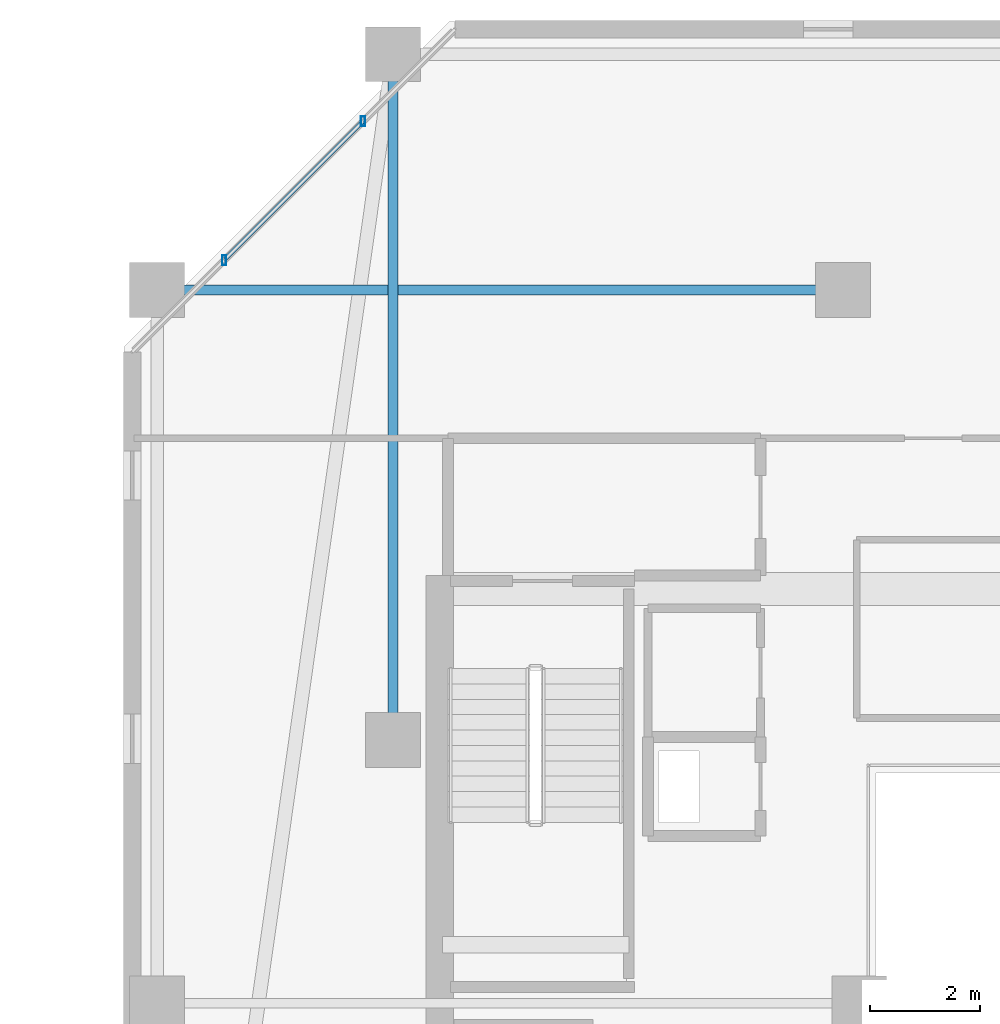
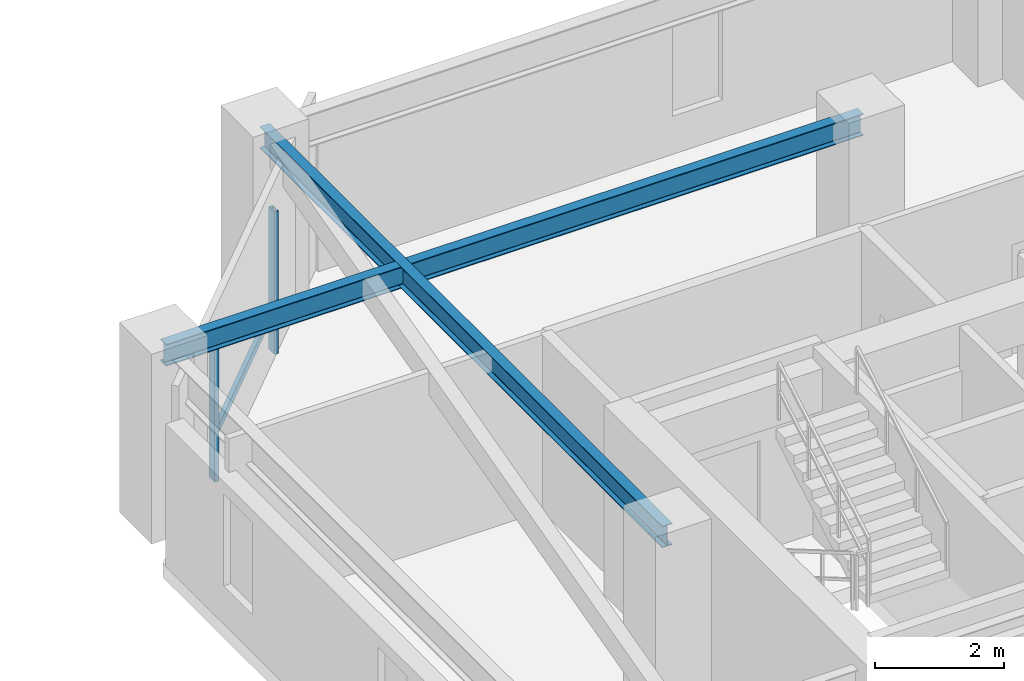
# One storey, part 14 of 31: 3 members, 2 beams, 1 element without a shape of its own.
"""IFC4 building model written with IfcOpenShell, lengths in metres."""

from ifc_helpers import new_model, si_unit, direction, frame, origin, origin_2d, place, context, subcontext, project, spatial, hollow_rectangle, i_section, extrude, material, material_profile, profile_set, type_object, element, aggregate, save


model = new_model("IFC4")

# Units and contexts
model_context = context("Model", 3, precision=1e-05, world=origin(), true_north=direction((0.0, 1.0)))
body_context = subcontext(model_context, "Body", "Model", "MODEL_VIEW")
ifc_project = project(units=[si_unit("LENGTHUNIT", "METRE"), si_unit("AREAUNIT", "SQUARE_METRE"), si_unit("VOLUMEUNIT", "CUBIC_METRE"), si_unit("PLANEANGLEUNIT", "RADIAN"), si_unit("MASSUNIT", "GRAM", prefix="KILO")], contexts=[model_context])

# Site, building, storey
site_placement = place(None, origin())
site = spatial("IfcSite", under=ifc_project, at=site_placement, CompositionType="ELEMENT")
building_placement = place(site_placement, origin())
building = spatial("IfcBuilding", under=site, at=building_placement, Name="Thornwick Lancets Civic Towers", CompositionType="ELEMENT")
storey_placement = place(building_placement, frame((0.0, 0.0, 233.10009765625)))
storey = spatial("IfcBuildingStorey", under=building, at=storey_placement, Name="L62", CompositionType="ELEMENT", Elevation=233.10009765625)

# Beams
ifc_material_1 = material(Name="Steel S355JR", Category="steel")
ifc_material_profile_1 = material_profile(ifc_material_1, i_section(OverallWidth=0.179443359375, OverallDepth=0.412841796875, WebThickness=0.009521484375, FlangeThickness=0.01611328125, FilletRadius=0.01025390625, at=origin_2d()), Name="UKB 406x178x74")
ifc_profile_set_1 = profile_set([ifc_material_profile_1], Name="Steel S355JR")
beam_type = type_object("IfcBeamType", Name="BM_JOIST_406_74", PredefinedType="JOIST", material=ifc_profile_set_1)
for number, where, z_axis, x_axis, name in (
    (1, (75.5, 31.800048828125, 3.153564453125), (0.0, 1.0, 0.0), (-1.0, 0.0, 0.0), "BM-RADIN-L62-B06"),
    (2, (83.699951171875, 40.0, 3.153564453125), (-1.0, 0.0, 0.0), (0.0, -1.0, 0.0), "BM-RADIN-L62-B09"),
):
    element("IfcBeam", number, at=place(storey_placement, frame(where, z_axis=z_axis, x_axis=x_axis)), inside=storey, type_object=beam_type, Name=name, PredefinedType="JOIST", context=body_context, shape_type="SweptSolid", body=[
        extrude(i_section(OverallWidth=0.179443359375, OverallDepth=0.412841796875, WebThickness=0.009521484375, FlangeThickness=0.01611328125, FilletRadius=0.01025390625, at=origin_2d()), origin(), (0.0, 0.0, 1.0), 12.5),
    ])

# Curtain wall, members
ifc_material_2 = material(Name="High-zone chamfered-corner unitised glass curtain wall", Category="glass")
curtain_wall_type = type_object("IfcCurtainWallType", Name="CW_SYS_05", PredefinedType="NOTDEFINED", material=ifc_material_2)
curtain_wall_placement = place(storey_placement, origin())
curtain_wall = element("IfcCurtainWall", 3, at=curtain_wall_placement, inside=storey, type_object=curtain_wall_type, Name="L62 Curtain Wall CW-L62-B-E5", PredefinedType="NOTDEFINED")
ifc_material_3 = material(Name="Thermally broken bronze aluminium S355", Category="steel")
ifc_material_profile_2 = material_profile(ifc_material_3, hollow_rectangle(XDim=0.074951171875, YDim=0.179931640625, WallThickness=0.006103515625, at=origin_2d()), Name="RHS 180x75x6")
ifc_profile_set_2 = profile_set([ifc_material_profile_2], Name="Thermally broken bronze aluminium S355")
member_type_1 = type_object("IfcMemberType", Name="CW_MUL_180", PredefinedType="MULLION", material=ifc_profile_set_2)
member_1_placement = place(storey_placement, frame((74.953125, 43.0791015625, 0.0), z_axis=(0.0, 0.0, 1.0), x_axis=(1.0, 0.0, 0.0)))
member_1 = element("IfcMember", 4, at=member_1_placement, type_object=member_type_1, Name="CW-L62-B-E5 Mullion 0", PredefinedType="MULLION", context=body_context, shape_type="SweptSolid", body=[
    extrude(hollow_rectangle(XDim=0.074951171875, YDim=0.179931640625, WallThickness=0.006103515625, at=origin_2d()), origin(), (0.0, 0.0, 1.0), 2.699951171875),
])
member_2_placement = place(storey_placement, frame((72.4208984375, 40.546875, 0.0), z_axis=(0.0, 0.0, 1.0), x_axis=(1.0, 0.0, 0.0)))
member_2 = element("IfcMember", 5, at=member_2_placement, type_object=member_type_1, Name="CW-L62-B-E5 Mullion 1", PredefinedType="MULLION", context=body_context, shape_type="SweptSolid", body=[
    extrude(hollow_rectangle(XDim=0.074951171875, YDim=0.179931640625, WallThickness=0.006103515625, at=origin_2d()), origin(), (0.0, 0.0, 1.0), 2.699951171875),
])
ifc_material_profile_3 = material_profile(ifc_material_3, hollow_rectangle(XDim=0.074951171875, YDim=0.14990234375, WallThickness=0.0048828125, at=origin_2d()), Name="RHS 150x75x5")
ifc_profile_set_3 = profile_set([ifc_material_profile_3], Name="Thermally broken bronze aluminium S355")
member_type_2 = type_object("IfcMemberType", Name="CW_TRN_150", PredefinedType="USERDEFINED", material=ifc_profile_set_3)
member_3_placement = place(storey_placement, frame((74.93896484375, 43.06494140625, 0.849853515625), z_axis=(-0.707106781187, -0.707106781187, 0.0), x_axis=(0.707106781187, -0.707106781187, 0.0)))
member_3 = element("IfcMember", 6, at=member_3_placement, type_object=member_type_2, Name="CW-L62-B-E5 Transom 0", ObjectType="TRANSOM", PredefinedType="USERDEFINED", context=body_context, shape_type="SweptSolid", body=[
    extrude(hollow_rectangle(XDim=0.074951171875, YDim=0.14990234375, WallThickness=0.0048828125, at=origin_2d()), origin(), (0.0, 0.0, 1.0), 3.541015625),
])
aggregate(curtain_wall, [member_1, member_2, member_3])

save(model, "model.ifc")
